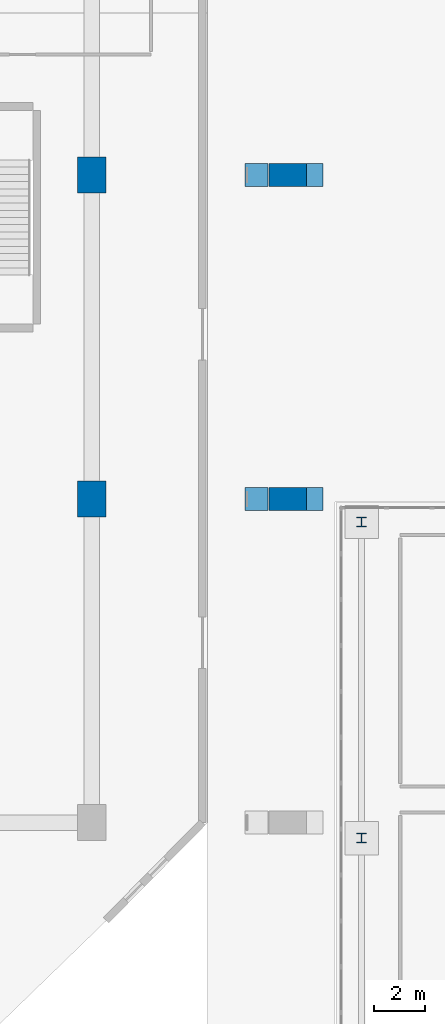
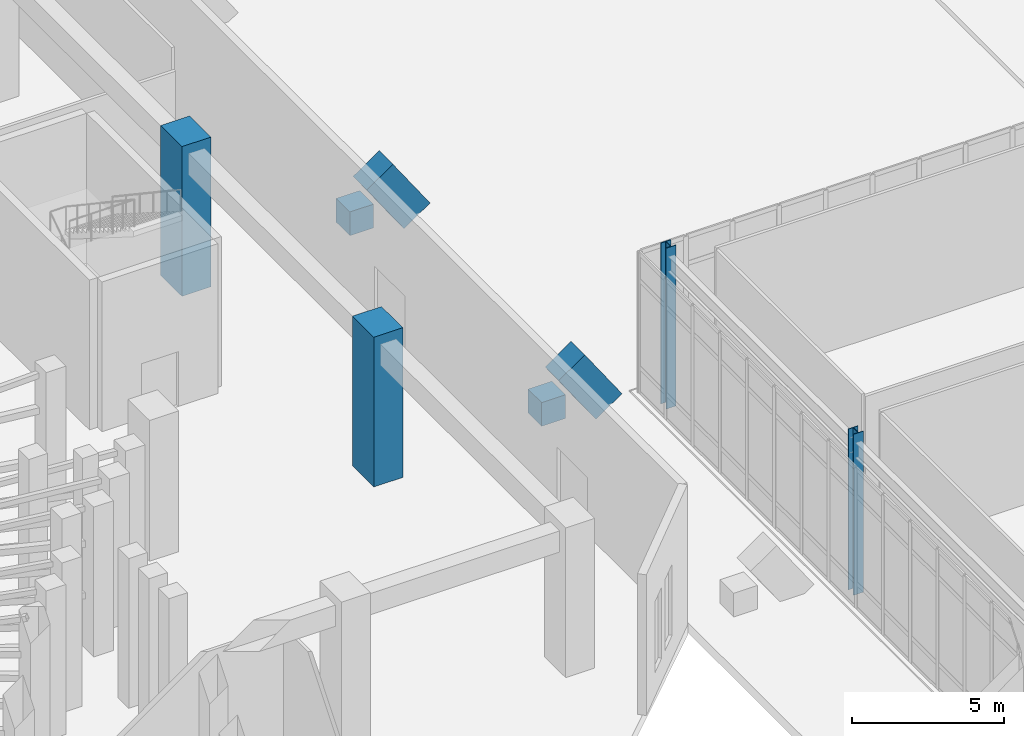
# One storey, part 9 of 143: 8 columns.
"""IFC4 building model written with IfcOpenShell, lengths in metres."""

from ifc_helpers import new_model, si_unit, derived_unit, direction, frame, origin, origin_2d, place, context, subcontext, project, spatial, rectangle, i_section, extrude, material, material_profile, profile_set, type_object, element, save


model = new_model("IFC4")

# Units and contexts
model_context = context("Model", 3, precision=1e-05, world=origin(), true_north=direction((0.0, 1.0)))
body_context = subcontext(model_context, "Body", "Model", "MODEL_VIEW")
ifc_project = project(units=[si_unit("LENGTHUNIT", "METRE"), si_unit("AREAUNIT", "SQUARE_METRE"), si_unit("VOLUMEUNIT", "CUBIC_METRE"), si_unit("PLANEANGLEUNIT", "RADIAN"), si_unit("MASSUNIT", "GRAM", prefix="KILO"), derived_unit("THERMALTRANSMITTANCEUNIT", [(si_unit("MASSUNIT", "GRAM", prefix="KILO"), 1), (si_unit("TIMEUNIT", "SECOND"), -3), (si_unit("THERMODYNAMICTEMPERATUREUNIT", "KELVIN"), -1)])], contexts=[model_context])

# Site, building, storey
site_placement = place(None, origin())
site = spatial("IfcSite", under=ifc_project, at=site_placement, CompositionType="ELEMENT")
building_placement = place(site_placement, origin())
building = spatial("IfcBuilding", under=site, at=building_placement, Name="Valcora Ridge Arena", CompositionType="ELEMENT")
storey_placement = place(building_placement, origin())
storey = spatial("IfcBuildingStorey", under=building, at=storey_placement, Name="L00", CompositionType="ELEMENT", Elevation=0.0)

# Columns
ifc_material_1 = material(Name="Concrete C40/50", Category="concrete")
ifc_material_profile_1 = material_profile(ifc_material_1, rectangle(XDim=1.10009765625, YDim=1.39990234375, at=origin_2d()), Name="RC 1100x1400")
ifc_profile_set_1 = profile_set([ifc_material_profile_1], Name="Concrete C40/50")
column_type_1 = type_object("IfcColumnType", Name="TY-COLUMN-C-RC1100", PredefinedType="COLUMN", material=ifc_profile_set_1)
for number, where, z_axis, x_axis, name in (
    (1, (102.5, 45.199951171875, 0.0), (0.0, 0.0, 1.0), (1.0, 0.0, 0.0), "C-RC1100 COL-C-RC1100-0084"),
    (2, (102.5, 57.800048828125, 0.0), (0.0, 0.0, 1.0), (1.0, 0.0, 0.0), "C-RC1100 COL-C-RC1100-0086"),
):
    element("IfcColumn", number, at=place(storey_placement, frame(where, z_axis=z_axis, x_axis=x_axis)), inside=storey, type_object=column_type_1, Name=name, PredefinedType="COLUMN", context=body_context, shape_type="SweptSolid", body=[
        extrude(rectangle(XDim=1.10009765625, YDim=1.39990234375, at=origin_2d()), origin(), (0.0, 0.0, 1.0), 6.0),
    ])
ifc_material_2 = material(Name="Concrete C45/55", Category="concrete")
ifc_material_profile_2 = material_profile(ifc_material_2, rectangle(XDim=0.89990234375, YDim=0.89990234375, at=origin_2d()), Name="RC 900x900")
ifc_profile_set_2 = profile_set([ifc_material_profile_2], Name="Concrete C45/55")
column_type_2 = type_object("IfcColumnType", Name="TY-COLUMN-C-SHOE-900", PredefinedType="COLUMN", material=ifc_profile_set_2)
for number, where, z_axis, x_axis, name in (
    (3, (108.909912109375, 45.199951171875, 0.0), (0.0, 0.0, 1.0), (1.0, 0.0, 0.0), "C-SHOE-900 COL-SH-C-SHOE-900-0006"),
    (4, (108.909912109375, 57.800048828125, 0.0), (0.0, 0.0, 1.0), (1.0, 0.0, 0.0), "C-SHOE-900 COL-SH-C-SHOE-900-0008"),
):
    element("IfcColumn", number, at=place(storey_placement, frame(where, z_axis=z_axis, x_axis=x_axis)), inside=storey, type_object=column_type_2, Name=name, PredefinedType="COLUMN", context=body_context, shape_type="SweptSolid", body=[
        extrude(rectangle(XDim=0.89990234375, YDim=0.89990234375, at=origin_2d()), origin(), (0.0, 0.0, 1.0), 0.949951171875),
    ])
ifc_material_3 = material(Name="Steel ASTM A572 Grade 50", Category="steel")
ifc_material_profile_3 = material_profile(ifc_material_3, i_section(OverallWidth=0.3740234375, OverallDepth=0.373046875, WebThickness=0.016357421875, FlangeThickness=0.026123046875, FilletRadius=0.01806640625, at=origin_2d()), Name="W14X132")
ifc_profile_set_3 = profile_set([ifc_material_profile_3], Name="Steel ASTM A572 Grade 50")
column_type_3 = type_object("IfcColumnType", Name="TY-COLUMN-C-STL14C", PredefinedType="COLUMN", material=ifc_profile_set_3)
for number, where, z_axis, x_axis, name in (
    (5, (113.0, 32.0, -0.449951171875), (0.0, 0.0, 1.0), (1.0, 0.0, 0.0), "C-STL14C COL-C-STL14C-0013"),
    (6, (113.0, 44.300048828125, -0.449951171875), (0.0, 0.0, 1.0), (1.0, 0.0, 0.0), "C-STL14C COL-C-STL14C-0015"),
):
    element("IfcColumn", number, at=place(storey_placement, frame(where, z_axis=z_axis, x_axis=x_axis)), inside=storey, type_object=column_type_3, Name=name, PredefinedType="COLUMN", context=body_context, shape_type="SweptSolid", body=[
        extrude(i_section(OverallWidth=0.3740234375, OverallDepth=0.373046875, WebThickness=0.016357421875, FlangeThickness=0.026123046875, FilletRadius=0.01806640625, at=origin_2d()), origin(), (0.0, 0.0, 1.0), 6.449951171875),
    ])
ifc_material_4 = material(Name="Bush-hammered Andean travertine architectural concrete C45/55", Category="masonry")
ifc_material_profile_4 = material_profile(ifc_material_4, rectangle(XDim=0.89990234375, YDim=1.199951171875, at=origin_2d()), Name="RC 900x1200")
ifc_profile_set_4 = profile_set([ifc_material_profile_4], Name="Bush-hammered Andean travertine architectural concrete C45/55")
column_type_4 = type_object("IfcColumnType", Name="TY-COLUMN-MC-BUTTRESS", PredefinedType="PILASTER", material=ifc_profile_set_4)
for number, where, z_axis, x_axis, name in (
    (7, (111.009521484375, 45.199951171875, -0.094970703125), (-0.567496326798, 0.0, 0.823375928159), (0.0, -1.0, 0.0), "Flying-Buttress Mega Column MC-BUTTRESS"),
    (8, (111.009521484375, 57.800048828125, -0.094970703125), (-0.567496326798, 0.0, 0.823375928159), (0.0, -1.0, 0.0), "Flying-Buttress Mega Column MC-BUTTRESS"),
):
    element("IfcColumn", number, at=place(storey_placement, frame(where, z_axis=z_axis, x_axis=x_axis)), inside=storey, type_object=column_type_4, Name=name, PredefinedType="PILASTER", context=body_context, shape_type="SweptSolid", body=[
        extrude(rectangle(XDim=0.89990234375, YDim=1.199951171875, at=origin_2d()), origin(), (0.0, 0.0, 1.0), 2.483642578125),
    ])

save(model, "model.ifc")
